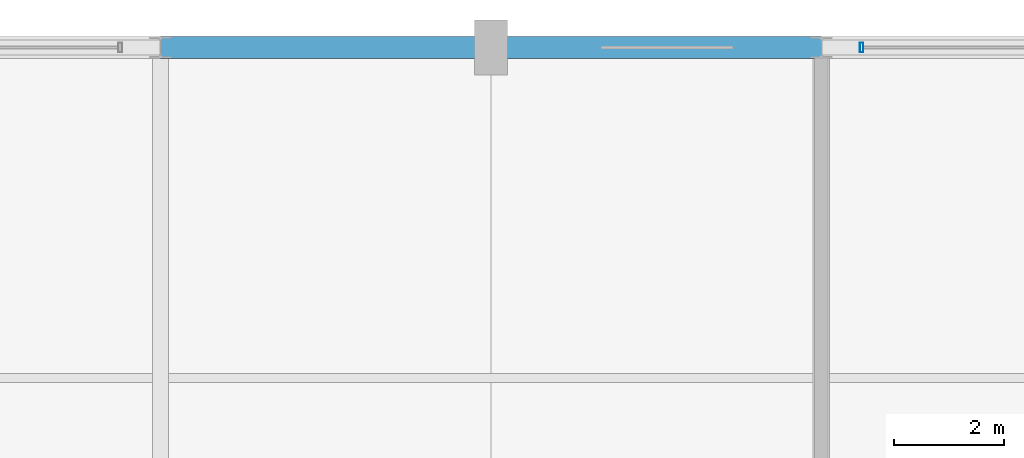
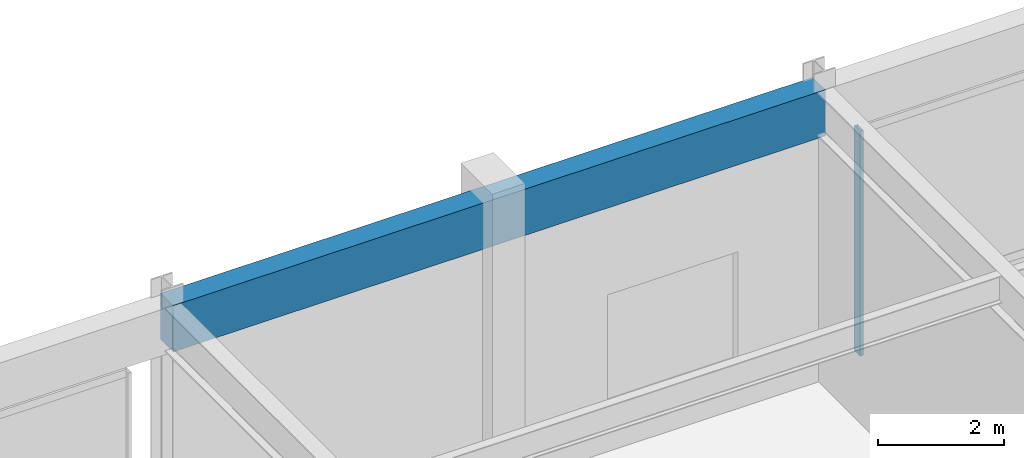
# One storey, part 46 of 108: 1 beam, 1 member, 1 element without a shape of its own.
"""IFC4 building model written with IfcOpenShell, lengths in metres."""

from ifc_helpers import new_model, si_unit, direction, frame, origin, origin_2d, place, context, subcontext, project, spatial, rectangle, hollow_rectangle, extrude, material, material_profile, profile_set, type_object, element, aggregate, save


model = new_model("IFC4")

# Units and contexts
model_context = context("Model", 3, precision=1e-05, world=origin(), true_north=direction((0.0, 1.0)))
body_context = subcontext(model_context, "Body", "Model", "MODEL_VIEW")
ifc_project = project(units=[si_unit("LENGTHUNIT", "METRE"), si_unit("AREAUNIT", "SQUARE_METRE"), si_unit("VOLUMEUNIT", "CUBIC_METRE"), si_unit("PLANEANGLEUNIT", "RADIAN"), si_unit("MASSUNIT", "GRAM", prefix="KILO")], contexts=[model_context])

# Site, building, storey
site_placement = place(None, origin())
site = spatial("IfcSite", under=ifc_project, at=site_placement, CompositionType="ELEMENT")
building_placement = place(site_placement, origin())
building = spatial("IfcBuilding", under=site, at=building_placement, Name="Kaldorvane Square Convention Centre", CompositionType="ELEMENT")
storey_placement = place(building_placement, frame((0.0, 0.0, 12.0)))
storey = spatial("IfcBuildingStorey", under=building, at=storey_placement, Name="L02", CompositionType="ELEMENT", Elevation=12.0)

# Beam
ifc_material_1 = material(Name="Concrete f'c = 42 MPa (Normalweight)", Category="concrete")
ifc_material_profile_1 = material_profile(ifc_material_1, rectangle(XDim=0.399993896484375, YDim=0.899993896484375, at=origin_2d()), Name="RCSP900X400")
ifc_profile_set_1 = profile_set([ifc_material_profile_1], Name="Concrete f'c = 42 MPa (Normalweight)")
beam_type = type_object("IfcBeamType", Name="BM-SP-RC900", PredefinedType="SPANDREL", material=ifc_profile_set_1)
beam_placement = place(storey_placement, frame((114.0, 117.0, 5.1959991455078125), z_axis=(1.0, 0.0, 0.0), x_axis=(0.0, 1.0, 0.0)))
element("IfcBeam", 1, at=beam_placement, inside=storey, type_object=beam_type, Name="Perimeter Spandrel (L02)", PredefinedType="SPANDREL", context=body_context, shape_type="SweptSolid", body=[
    extrude(rectangle(XDim=0.399993896484375, YDim=0.899993896484375, at=origin_2d()), origin(), (0.0, 0.0, 1.0), 12.0),
])

# Curtain wall, member
ifc_material_2 = material(Name="Anodized Aluminum and Low-E Insulated Glazing", Category="aluminium")
curtain_wall_type = type_object("IfcCurtainWallType", Name="CW-UNI-P60-09", PredefinedType="USERDEFINED", material=ifc_material_2)
curtain_wall_placement = place(storey_placement, origin())
curtain_wall = element("IfcCurtainWall", 2, at=curtain_wall_placement, inside=storey, type_object=curtain_wall_type, Name="Curtain Wall CW-02 (L02)", ObjectType="UNITISED GLAZING", PredefinedType="USERDEFINED")
ifc_material_profile_2 = material_profile(ifc_material_2, hollow_rectangle(XDim=0.06500244140625, YDim=0.17999267578125, WallThickness=0.0034942626953125, at=origin_2d()), Name="CWM-180X65")
ifc_profile_set_2 = profile_set([ifc_material_profile_2], Name="Anodized Aluminum and Low-E Insulated Glazing")
member_type = type_object("IfcMemberType", Name="CW-MUL-180", PredefinedType="MULLION", material=ifc_profile_set_2)
member_placement = place(storey_placement, frame((126.73249816894531, 117.0, 0.149993896484375), z_axis=(0.0, 0.0, 1.0), x_axis=(-1.0, 0.0, 0.0)))
member = element("IfcMember", 3, at=member_placement, type_object=member_type, Name="CW-02 mullion 4", PredefinedType="MULLION", context=body_context, shape_type="SweptSolid", body=[
    extrude(hollow_rectangle(XDim=0.06500244140625, YDim=0.17999267578125, WallThickness=0.0034942626953125, at=origin_2d()), origin(), (0.0, 0.0, 1.0), 4.3800048828125),
])
aggregate(curtain_wall, [member])

save(model, "model.ifc")
